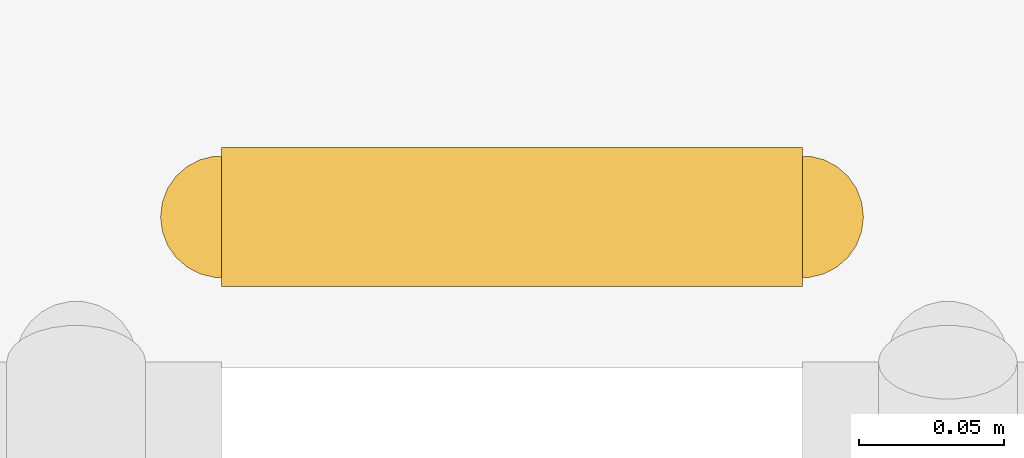
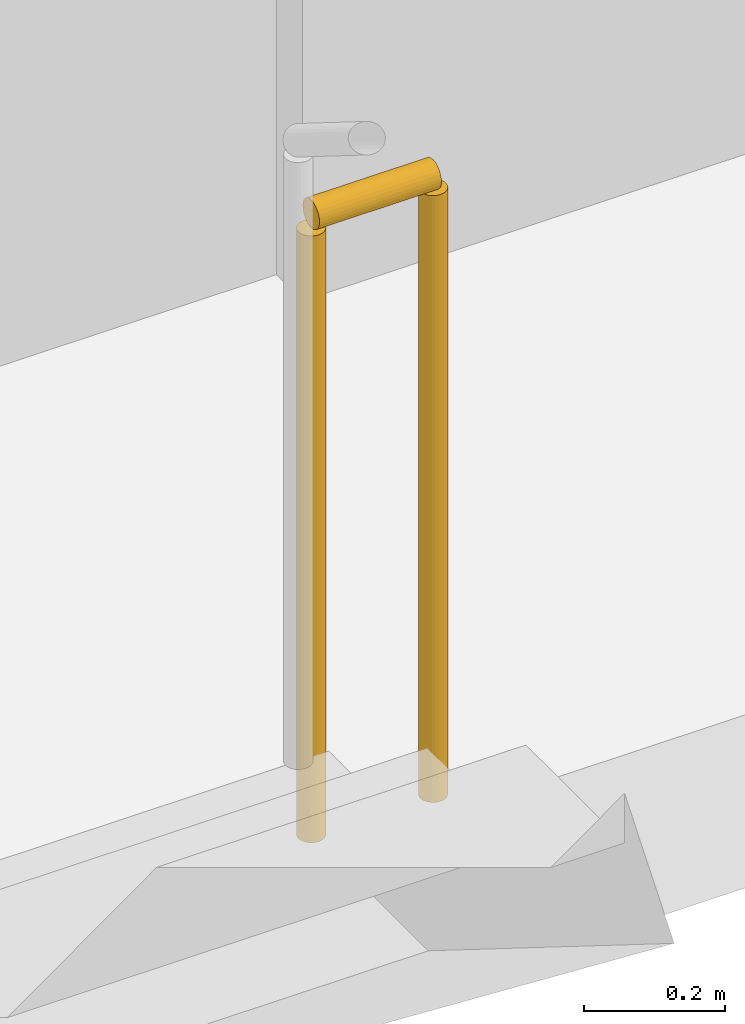
# One storey, part 22 of 22: 1 railing.
"""IFC4 building model written with IfcOpenShell, lengths in metres."""

import ifcopenshell
import ifcopenshell.guid

model = None  # the IFC model being written
_history = None  # IfcOwnerHistory: only IFC2X3 demands one
_inside = {}  # id of a spatial element -> (the spatial element, [elements in it])
_under = {}  # id of a project, library or spatial element -> (it, [spatial elements below it])
_declared = {}  # id of a project -> (the project, [libraries it declares])
_typed = {}  # id of a type object -> (the type object, [elements of that type])
_made_of = {}  # id of a material, layer set ... -> (it, [elements and type objects made of it])


def new_model(schema):
    """Start an empty IFC model of exactly this schema.

    Asked for "IFC4X3", IfcOpenShell would pick the latest addendum, in which some entities
    have other attributes; the version numbers below select the first issue.
    IFC2X3 requires an IfcOwnerHistory on every rooted entity: one is made here for all.
    """
    global model, _history
    if schema == "IFC4X3":
        model = ifcopenshell.file(schema_version=(4, 3, 0, 0))
    else:
        model = ifcopenshell.file(schema=schema)
    _inside.clear()
    _under.clear()
    _declared.clear()
    _typed.clear()
    _made_of.clear()
    _history = None
    if model.schema == "IFC2X3":
        org = make("IfcOrganization", Name="unknown")
        user = make(
            "IfcPersonAndOrganization",
            ThePerson=make("IfcPerson", FamilyName="unknown"),
            TheOrganization=org,
        )
        app = make(
            "IfcApplication",
            ApplicationDeveloper=org,
            Version="unknown",
            ApplicationFullName="unknown",
            ApplicationIdentifier="unknown",
        )
        _history = make(
            "IfcOwnerHistory",
            OwningUser=user,
            OwningApplication=app,
            ChangeAction="ADDED",
            CreationDate=0,
        )
    return model


def make(cls, **values):
    """One entity of the class cls with the attributes given. An attribute that is None is left unset."""
    return model.create_entity(
        cls, **{name: value for name, value in values.items() if value is not None}
    )


def rooted(cls, **values):
    """An entity with a GlobalId (a new one), such as an element, a storey or a relation."""
    return make(cls, GlobalId=ifcopenshell.guid.new(), OwnerHistory=_history, **values)


def si_unit(unit_type, name, prefix=None):
    """IfcSIUnit, for example si_unit("LENGTHUNIT", "METRE", prefix="MILLI")."""
    return make("IfcSIUnit", UnitType=unit_type, Prefix=prefix, Name=name)


def assignment(units):
    """IfcUnitAssignment: the units of a project."""
    return None if units is None else make("IfcUnitAssignment", Units=units)


def point(xyz):
    """IfcCartesianPoint."""
    return None if xyz is None else make("IfcCartesianPoint", Coordinates=xyz)


def direction(xyz):
    """IfcDirection."""
    return None if xyz is None else make("IfcDirection", DirectionRatios=xyz)


def frame(location, z_axis=None, x_axis=None):
    """IfcAxis2Placement3D, a coordinate frame: its origin and axes. An axis left out is left unset."""
    return make(
        "IfcAxis2Placement3D",
        Location=point(location),
        Axis=direction(z_axis),
        RefDirection=direction(x_axis),
    )


def frame_2d(location, x_axis=None):
    """IfcAxis2Placement2D, a coordinate frame in the plane: its origin and x axis."""
    return make(
        "IfcAxis2Placement2D", Location=point(location), RefDirection=direction(x_axis)
    )


def origin():
    """The frame at (0, 0, 0) with its axes left unset."""
    return frame((0.0, 0.0, 0.0))


def origin_2d():
    """The frame at (0, 0) in the plane with its x axis left unset."""
    return frame_2d((0.0, 0.0))


def place(relative_to, where):
    """IfcLocalPlacement: puts the frame where relative to a parent placement (None: the world)."""
    return make(
        "IfcLocalPlacement", PlacementRelTo=relative_to, RelativePlacement=where
    )


def context(
    kind, dimensions, precision=None, world=None, true_north=None, identifier=None
):
    """IfcGeometricRepresentationContext, for example the 3D "Model" context."""
    return make(
        "IfcGeometricRepresentationContext",
        ContextIdentifier=identifier,
        ContextType=kind,
        CoordinateSpaceDimension=dimensions,
        Precision=precision,
        WorldCoordinateSystem=world,
        TrueNorth=true_north,
    )


def subcontext(parent, identifier, kind, view, scale=None):
    """IfcGeometricRepresentationSubContext, for example "Body" below "Model"."""
    return make(
        "IfcGeometricRepresentationSubContext",
        ContextIdentifier=identifier,
        ContextType=kind,
        ParentContext=parent,
        TargetScale=scale,
        TargetView=view,
    )


def project(units=None, contexts=None):
    """IfcProject with its units and contexts."""
    return rooted(
        "IfcProject",
        Name="project",
        RepresentationContexts=contexts,
        UnitsInContext=assignment(units),
    )


def spatial(cls, under=None, at=None, **own):
    """A site, building, storey or space (cls), placed at a placement, below another one or the project."""
    s = rooted(cls, ObjectPlacement=at, **own)
    if under is not None:
        _under.setdefault(under.id(), (under, []))[1].append(s)
    return s


def profile(cls, at=None, kind="AREA", **sizes):
    """A parametric profile (cls). Its sizes go by their IFC names, for example OverallWidth=200.0."""
    return make(cls, ProfileType=kind, Position=at, **sizes)


def circle(**sizes):
    """IfcCircleProfileDef."""
    return profile("IfcCircleProfileDef", **sizes)


def extrude(swept, where, along, depth):
    """IfcExtrudedAreaSolid: the profile swept, set in the frame where, extruded along a direction by depth."""
    return make(
        "IfcExtrudedAreaSolid",
        SweptArea=swept,
        Position=where,
        ExtrudedDirection=direction(along),
        Depth=depth,
    )


def shape(context_of_items, identifier, shape_type, items):
    """IfcShapeRepresentation: the items that make up one representation, for example the "Body"."""
    return make(
        "IfcShapeRepresentation",
        ContextOfItems=context_of_items,
        RepresentationIdentifier=identifier,
        RepresentationType=shape_type,
        Items=items,
    )


def material(Name=None, Category=None):
    """IfcMaterial."""
    return make("IfcMaterial", Name=Name, Category=Category)


def made_of(thing, what):
    """Note that an element or type object is made of a material, layer set ...; save() writes the relation."""
    if what is not None:
        _made_of.setdefault(what.id(), (what, []))[1].append(thing)
    return thing


def type_object(cls, material=None, **own):
    """A type object (cls), such as IfcWallType, which elements share."""
    return made_of(rooted(cls, **own), material)


def element(
    cls,
    number,
    at=None,
    inside=None,
    cuts=None,
    type_object=None,
    material=None,
    context=None,
    identifier="Body",
    shape_type=None,
    held_by="IfcProductDefinitionShape",
    body=None,
    shapes=None,
    **own,
):
    """One element of the class cls, such as IfcWall. Its Tag is "e" and its number.

    at: its placement. inside: the storey or other place that contains it. cuts: it is an
    opening in that element (IfcRelVoidsElement). A single representation is given by context,
    identifier, shape_type and body (its items); several are given by shapes. held_by: the class
    of the entity that holds the representations. save() writes the other relations.
    """
    e = rooted(cls, Tag="e%d" % number, ObjectPlacement=at, **own)
    if body is not None:
        shapes = [shape(context, identifier, shape_type, body)]
    if shapes is not None:
        e.Representation = make(held_by, Representations=shapes)
    if inside is not None:
        _inside.setdefault(inside.id(), (inside, []))[1].append(e)
    if cuts is not None:
        rooted(
            "IfcRelVoidsElement", RelatingBuildingElement=cuts, RelatedOpeningElement=e
        )
    if type_object is not None:
        _typed.setdefault(type_object.id(), (type_object, []))[1].append(e)
    return made_of(e, material)


def aggregate(whole, parts):
    """IfcRelAggregates: a whole, such as a stair, and the parts it consists of."""
    return rooted("IfcRelAggregates", RelatingObject=whole, RelatedObjects=parts)


def save(model, path):
    """Write the relations noted so far, then the file.

    IfcRelAggregates (storeys below a building ...), IfcRelContainedInSpatialStructure (elements
    in a storey), IfcRelDefinesByType, IfcRelAssociatesMaterial and IfcRelDeclares: one each for
    every whole, place, type object, material and project.
    """
    for whole, parts in _under.values():
        aggregate(whole, parts)
    for where, things in _inside.values():
        rooted(
            "IfcRelContainedInSpatialStructure",
            RelatedElements=things,
            RelatingStructure=where,
        )
    for kind, things in _typed.values():
        rooted("IfcRelDefinesByType", RelatedObjects=things, RelatingType=kind)
    for what, things in _made_of.values():
        rooted("IfcRelAssociatesMaterial", RelatedObjects=things, RelatingMaterial=what)
    for by, libraries in _declared.values():
        rooted("IfcRelDeclares", RelatingContext=by, RelatedDefinitions=libraries)
    model.write(path)


model = new_model("IFC4")

# Units and contexts
model_context = context("Model", 3, precision=1e-05, world=origin(), true_north=direction((0.0, 1.0)))
body_context = subcontext(model_context, "Body", "Model", "MODEL_VIEW")
ifc_project = project(units=[si_unit("LENGTHUNIT", "METRE"), si_unit("AREAUNIT", "SQUARE_METRE"), si_unit("VOLUMEUNIT", "CUBIC_METRE"), si_unit("PLANEANGLEUNIT", "RADIAN"), si_unit("MASSUNIT", "GRAM", prefix="KILO")], contexts=[model_context])

# Site, building, storey
site_placement = place(None, origin())
site = spatial("IfcSite", under=ifc_project, at=site_placement, CompositionType="ELEMENT")
building_placement = place(site_placement, origin())
building = spatial("IfcBuilding", under=site, at=building_placement, Name="Kiln Ring Residences", CompositionType="ELEMENT")
storey_placement = place(building_placement, frame((0.0, 0.0, 90.300048828125)))
storey = spatial("IfcBuildingStorey", under=building, at=storey_placement, Name="L22", CompositionType="ELEMENT", Elevation=90.300048828125)

# Railing
ifc_material = material(Name="Stainless steel", Category="steel")
railing_type = type_object("IfcRailingType", Name="CORE-STAIR-GUARD", PredefinedType="GUARDRAIL", material=ifc_material)
railing_placement = place(storey_placement, frame((22.0, 8.449951171875, 0.0)))
element("IfcRailing", 1, at=railing_placement, inside=storey, type_object=railing_type, Name="L22 E-STN stair guard 4", PredefinedType="GUARDRAIL", context=body_context, shape_type="SweptSolid", body=[
    extrude(circle(Radius=0.02392578125, at=origin_2d()), frame((0.0, 0.0, 1.076171875), z_axis=(1.0, 0.0, 0.0), x_axis=(0.0, 1.0, 0.0)), (0.0, 0.0, 1.0), 0.199951171875),
    extrude(circle(Radius=0.02099609375, at=origin_2d()), origin(), (0.0, 0.0, 1.0), 1.052001953125),
    extrude(circle(Radius=0.02099609375, at=origin_2d()), frame((0.199951171875, 0.0, 0.0)), (0.0, 0.0, 1.0), 1.052001953125),
])

save(model, "model.ifc")
